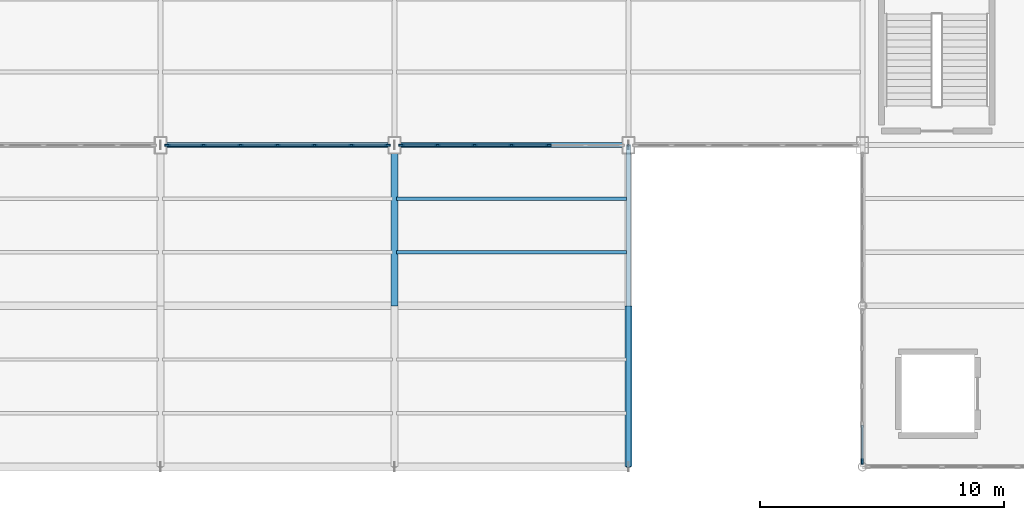
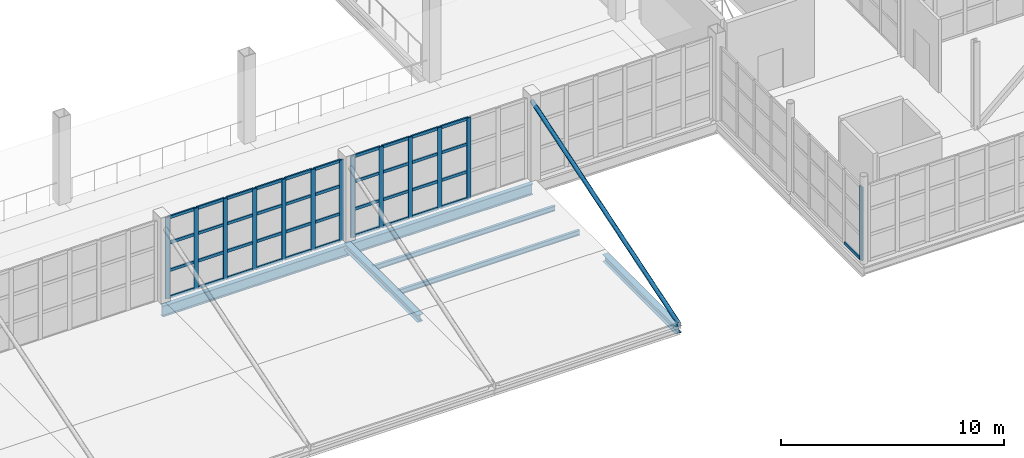
# One storey, part 30 of 120: 55 members, 6 beams, 3 elements without a shape of their own.
"""IFC4 building model written with IfcOpenShell, lengths in metres."""

from ifc_helpers import new_model, si_unit, direction, frame, origin, origin_2d, place, context, subcontext, project, spatial, rectangle, hollow_circle, i_section, extrude, material, layer, layer_set, material_profile, profile_set, type_object, element, aggregate, save


model = new_model("IFC4")

# Units and contexts
model_context = context("Model", 3, precision=1e-05, world=origin(), true_north=direction((0.0, 1.0)))
body_context = subcontext(model_context, "Body", "Model", "MODEL_VIEW")
ifc_project = project(units=[si_unit("LENGTHUNIT", "METRE"), si_unit("AREAUNIT", "SQUARE_METRE"), si_unit("VOLUMEUNIT", "CUBIC_METRE"), si_unit("PLANEANGLEUNIT", "RADIAN"), si_unit("MASSUNIT", "GRAM", prefix="KILO")], contexts=[model_context])

# Site, building, storey
site_placement = place(None, origin())
site = spatial("IfcSite", under=ifc_project, at=site_placement, CompositionType="ELEMENT")
building_placement = place(site_placement, origin())
building = spatial("IfcBuilding", under=site, at=building_placement, Name="Zarnetskaya Central Station", CompositionType="ELEMENT")
storey_placement = place(building_placement, frame((0.0, 0.0, 5.39990234375)))
storey = spatial("IfcBuildingStorey", under=building, at=storey_placement, Name="L01", CompositionType="ELEMENT", Elevation=5.39990234375)

# Beams
ifc_material_1 = material(Name="Steel S355", Category="steel")
ifc_material_profile_1 = material_profile(ifc_material_1, i_section(OverallWidth=0.135009765625, OverallDepth=0.27001953125, WebThickness=0.006591796875, FlangeThickness=0.01025390625, FilletRadius=0.014892578125, at=origin_2d()), Name="IPE 270")
ifc_profile_set_1 = profile_set([ifc_material_profile_1], Name="Steel S355")
beam_type_1 = type_object("IfcBeamType", Name="BM-JST-270", PredefinedType="JOIST", material=ifc_profile_set_1)
for number, where, z_axis, x_axis, name in (
    (1, (105.679931640625, 8.800048828125, -0.294921875), (1.0, 0.0, 0.0), (0.0, 1.0, 0.0), "Secondary floor beam SEC-L01-Z524-MN-23-1"),
    (2, (105.679931640625, 11.0, -0.294921875), (1.0, 0.0, 0.0), (0.0, 1.0, 0.0), "Secondary floor beam SEC-L01-Z524-MN-23-2"),
):
    element("IfcBeam", number, at=place(storey_placement, frame(where, z_axis=z_axis, x_axis=x_axis)), inside=storey, type_object=beam_type_1, Name=name, PredefinedType="JOIST", context=body_context, shape_type="SweptSolid", body=[
        extrude(i_section(OverallWidth=0.135009765625, OverallDepth=0.27001953125, WebThickness=0.006591796875, FlangeThickness=0.01025390625, FilletRadius=0.014892578125, at=origin_2d()), origin(), (0.0, 0.0, 1.0), 9.440185546875),
    ])

# Curtain wall, members
ifc_material_2 = material(Name="Low-E insulated glass", Category="glass")
ifc_layer_1 = layer(ifc_material_2, 0.1640625, Name="Low-E insulated glass", Category="glass")
ifc_layer_set_1 = layer_set([ifc_layer_1], Name="Low-E insulated glass")
curtain_wall_type_1 = type_object("IfcCurtainWallType", Name="CW-SYS-12", PredefinedType="USERDEFINED", material=ifc_layer_set_1)
curtain_wall_1_placement = place(storey_placement, origin())
curtain_wall_1 = element("IfcCurtainWall", 3, at=curtain_wall_1_placement, inside=storey, type_object=curtain_wall_type_1, Name="Curtain wall CW-L01-082", ObjectType="CURTAIN WALL", PredefinedType="USERDEFINED")
ifc_material_3 = material(Name="Anodised aluminium", Category="aluminium")
ifc_material_profile_2 = material_profile(ifc_material_3, rectangle(XDim=0.080078125, YDim=0.219970703125, at=origin_2d()), Name="ALU MULL 80x220")
ifc_profile_set_2 = profile_set([ifc_material_profile_2], Name="Anodised aluminium")
member_type_1 = type_object("IfcMemberType", Name="CW-MULL-220", PredefinedType="MULLION", material=ifc_profile_set_2)
member_1_placement = place(storey_placement, frame((105.31005859375, 13.199951171875, 0.0), z_axis=(0.0, 0.0, 1.0), x_axis=(0.0, -1.0, 0.0)))
member_1 = element("IfcMember", 4, at=member_1_placement, type_object=member_type_1, Name="CW-18 mullion 1", PredefinedType="MULLION", context=body_context, shape_type="SweptSolid", body=[
    extrude(rectangle(XDim=0.080078125, YDim=0.219970703125, at=origin_2d()), origin(), (0.0, 0.0, 1.0), 4.4501953125),
])
member_2_placement = place(storey_placement, frame((103.833251953125, 13.199951171875, 0.0), z_axis=(0.0, 0.0, 1.0), x_axis=(0.0, -1.0, 0.0)))
member_2 = element("IfcMember", 5, at=member_2_placement, type_object=member_type_1, Name="CW-18 mullion 2", PredefinedType="MULLION", context=body_context, shape_type="SweptSolid", body=[
    extrude(rectangle(XDim=0.080078125, YDim=0.219970703125, at=origin_2d()), origin(), (0.0, 0.0, 1.0), 4.4501953125),
])
member_3_placement = place(storey_placement, frame((102.316650390625, 13.199951171875, 0.0), z_axis=(0.0, 0.0, 1.0), x_axis=(0.0, -1.0, 0.0)))
member_3 = element("IfcMember", 6, at=member_3_placement, type_object=member_type_1, Name="CW-18 mullion 3", PredefinedType="MULLION", context=body_context, shape_type="SweptSolid", body=[
    extrude(rectangle(XDim=0.080078125, YDim=0.219970703125, at=origin_2d()), origin(), (0.0, 0.0, 1.0), 4.4501953125),
])
member_4_placement = place(storey_placement, frame((100.800048828125, 13.199951171875, 0.0), z_axis=(0.0, 0.0, 1.0), x_axis=(0.0, -1.0, 0.0)))
member_4 = element("IfcMember", 7, at=member_4_placement, type_object=member_type_1, Name="CW-18 mullion 4", PredefinedType="MULLION", context=body_context, shape_type="SweptSolid", body=[
    extrude(rectangle(XDim=0.080078125, YDim=0.219970703125, at=origin_2d()), origin(), (0.0, 0.0, 1.0), 4.4501953125),
])
member_5_placement = place(storey_placement, frame((99.283447265625, 13.199951171875, 0.0), z_axis=(0.0, 0.0, 1.0), x_axis=(0.0, -1.0, 0.0)))
member_5 = element("IfcMember", 8, at=member_5_placement, type_object=member_type_1, Name="CW-18 mullion 5", PredefinedType="MULLION", context=body_context, shape_type="SweptSolid", body=[
    extrude(rectangle(XDim=0.080078125, YDim=0.219970703125, at=origin_2d()), origin(), (0.0, 0.0, 1.0), 4.4501953125),
])
member_6_placement = place(storey_placement, frame((97.7666015625, 13.199951171875, 0.0), z_axis=(0.0, 0.0, 1.0), x_axis=(0.0, -1.0, 0.0)))
member_6 = element("IfcMember", 9, at=member_6_placement, type_object=member_type_1, Name="CW-18 mullion 6", PredefinedType="MULLION", context=body_context, shape_type="SweptSolid", body=[
    extrude(rectangle(XDim=0.080078125, YDim=0.219970703125, at=origin_2d()), origin(), (0.0, 0.0, 1.0), 4.4501953125),
])
member_7_placement = place(storey_placement, frame((96.2900390625, 13.199951171875, 0.0), z_axis=(0.0, 0.0, 1.0), x_axis=(0.0, -1.0, 0.0)))
member_7 = element("IfcMember", 10, at=member_7_placement, type_object=member_type_1, Name="CW-18 mullion 7", PredefinedType="MULLION", context=body_context, shape_type="SweptSolid", body=[
    extrude(rectangle(XDim=0.080078125, YDim=0.219970703125, at=origin_2d()), origin(), (0.0, 0.0, 1.0), 4.4501953125),
])

ifc_layer_2 = layer(ifc_material_2, 0.16796875, Name="Low-E insulated glass", Category="glass")
ifc_layer_set_2 = layer_set([ifc_layer_2], Name="Low-E insulated glass")
curtain_wall_type_2 = type_object("IfcCurtainWallType", Name="CW-SYS-13", PredefinedType="USERDEFINED", material=ifc_layer_set_2)
curtain_wall_2_placement = place(storey_placement, origin())
curtain_wall_2 = element("IfcCurtainWall", 11, at=curtain_wall_2_placement, inside=storey, type_object=curtain_wall_type_2, Name="Curtain wall CW-L01-084", ObjectType="CURTAIN WALL", PredefinedType="USERDEFINED")
member_8_placement = place(storey_placement, frame((111.916748046875, 13.199951171875, 0.0), z_axis=(0.0, 0.0, 1.0), x_axis=(0.0, -1.0, 0.0)))
member_8 = element("IfcMember", 12, at=member_8_placement, type_object=member_type_1, Name="CW-04 mullion 3", PredefinedType="MULLION", context=body_context, shape_type="SweptSolid", body=[
    extrude(rectangle(XDim=0.080078125, YDim=0.219970703125, at=origin_2d()), origin(), (0.0, 0.0, 1.0), 4.4501953125),
])
member_9_placement = place(storey_placement, frame((110.39990234375, 13.199951171875, 0.0), z_axis=(0.0, 0.0, 1.0), x_axis=(0.0, -1.0, 0.0)))
member_9 = element("IfcMember", 13, at=member_9_placement, type_object=member_type_1, Name="CW-04 mullion 4", PredefinedType="MULLION", context=body_context, shape_type="SweptSolid", body=[
    extrude(rectangle(XDim=0.080078125, YDim=0.219970703125, at=origin_2d()), origin(), (0.0, 0.0, 1.0), 4.4501953125),
])
member_10_placement = place(storey_placement, frame((108.88330078125, 13.199951171875, 0.0), z_axis=(0.0, 0.0, 1.0), x_axis=(0.0, -1.0, 0.0)))
member_10 = element("IfcMember", 14, at=member_10_placement, type_object=member_type_1, Name="CW-04 mullion 5", PredefinedType="MULLION", context=body_context, shape_type="SweptSolid", body=[
    extrude(rectangle(XDim=0.080078125, YDim=0.219970703125, at=origin_2d()), origin(), (0.0, 0.0, 1.0), 4.4501953125),
])
member_11_placement = place(storey_placement, frame((107.36669921875, 13.199951171875, 0.0), z_axis=(0.0, 0.0, 1.0), x_axis=(0.0, -1.0, 0.0)))
member_11 = element("IfcMember", 15, at=member_11_placement, type_object=member_type_1, Name="CW-04 mullion 6", PredefinedType="MULLION", context=body_context, shape_type="SweptSolid", body=[
    extrude(rectangle(XDim=0.080078125, YDim=0.219970703125, at=origin_2d()), origin(), (0.0, 0.0, 1.0), 4.4501953125),
])
member_12_placement = place(storey_placement, frame((105.889892578125, 13.199951171875, 0.0), z_axis=(0.0, 0.0, 1.0), x_axis=(0.0, -1.0, 0.0)))
member_12 = element("IfcMember", 16, at=member_12_placement, type_object=member_type_1, Name="CW-04 mullion 7", PredefinedType="MULLION", context=body_context, shape_type="SweptSolid", body=[
    extrude(rectangle(XDim=0.080078125, YDim=0.219970703125, at=origin_2d()), origin(), (0.0, 0.0, 1.0), 4.4501953125),
])

# Curtain wall, member
ifc_layer_3 = layer(ifc_material_2, 0.159912109375, Name="Low-E insulated glass", Category="glass")
ifc_layer_set_3 = layer_set([ifc_layer_3], Name="Low-E insulated glass")
curtain_wall_type_3 = type_object("IfcCurtainWallType", Name="CW-SYS-06", PredefinedType="USERDEFINED", material=ifc_layer_set_3)
curtain_wall_3_placement = place(storey_placement, origin())
curtain_wall_3 = element("IfcCurtainWall", 17, at=curtain_wall_3_placement, inside=storey, type_object=curtain_wall_type_3, Name="Curtain wall CW-L01-110", ObjectType="CURTAIN WALL", PredefinedType="USERDEFINED")
member_13_placement = place(storey_placement, frame((124.800048828125, 0.2177734375, 0.0), z_axis=(0.0, 0.0, 1.0), x_axis=(-1.0, 0.0, 0.0)))
member_13 = element("IfcMember", 18, at=member_13_placement, type_object=member_type_1, Name="CW-02 mullion 1", PredefinedType="MULLION", context=body_context, shape_type="SweptSolid", body=[
    extrude(rectangle(XDim=0.080078125, YDim=0.219970703125, at=origin_2d()), origin(), (0.0, 0.0, 1.0), 4.0400390625),
])

# Member
ifc_material_profile_3 = material_profile(ifc_material_3, rectangle(XDim=0.080078125, YDim=0.159912109375, at=origin_2d()), Name="ALU TRAN 80x160")
ifc_profile_set_3 = profile_set([ifc_material_profile_3], Name="Anodised aluminium")
member_type_2 = type_object("IfcMemberType", Name="CW-TRAN-160", PredefinedType="USERDEFINED", material=ifc_profile_set_3)
member_14_placement = place(storey_placement, frame((105.27001953125, 13.199951171875, 0.0400390625), z_axis=(-1.0, 0.0, 0.0), x_axis=(0.0, -1.0, 0.0)))
member_14 = element("IfcMember", 19, at=member_14_placement, type_object=member_type_2, Name="CW-18 transom 1.1", ObjectType="TRANSOM", PredefinedType="USERDEFINED", context=body_context, shape_type="SweptSolid", body=[
    extrude(rectangle(XDim=0.080078125, YDim=0.159912109375, at=origin_2d()), origin(), (0.0, 0.0, 1.0), 1.396728515625),
])

member_15_placement = place(storey_placement, frame((105.27001953125, 13.199951171875, 1.51318359375), z_axis=(-1.0, 0.0, 0.0), x_axis=(0.0, -1.0, 0.0)))
member_15 = element("IfcMember", 20, at=member_15_placement, type_object=member_type_2, Name="CW-18 transom 1.2", ObjectType="TRANSOM", PredefinedType="USERDEFINED", context=body_context, shape_type="SweptSolid", body=[
    extrude(rectangle(XDim=0.080078125, YDim=0.159912109375, at=origin_2d()), origin(), (0.0, 0.0, 1.0), 1.396728515625),
])

member_16_placement = place(storey_placement, frame((105.27001953125, 13.199951171875, 3.026123046875), z_axis=(-1.0, 0.0, 0.0), x_axis=(0.0, -1.0, 0.0)))
member_16 = element("IfcMember", 21, at=member_16_placement, type_object=member_type_2, Name="CW-18 transom 1.3", ObjectType="TRANSOM", PredefinedType="USERDEFINED", context=body_context, shape_type="SweptSolid", body=[
    extrude(rectangle(XDim=0.080078125, YDim=0.159912109375, at=origin_2d()), origin(), (0.0, 0.0, 1.0), 1.396728515625),
])

member_17_placement = place(storey_placement, frame((105.27001953125, 13.199951171875, 4.41015625), z_axis=(-1.0, 0.0, 0.0), x_axis=(0.0, -1.0, 0.0)))
member_17 = element("IfcMember", 22, at=member_17_placement, type_object=member_type_2, Name="CW-18 transom 1.4", ObjectType="TRANSOM", PredefinedType="USERDEFINED", context=body_context, shape_type="SweptSolid", body=[
    extrude(rectangle(XDim=0.080078125, YDim=0.159912109375, at=origin_2d()), origin(), (0.0, 0.0, 1.0), 1.396728515625),
])

member_18_placement = place(storey_placement, frame((103.793212890625, 13.199951171875, 0.0400390625), z_axis=(-1.0, 0.0, 0.0), x_axis=(0.0, -1.0, 0.0)))
member_18 = element("IfcMember", 23, at=member_18_placement, type_object=member_type_2, Name="CW-18 transom 2.1", ObjectType="TRANSOM", PredefinedType="USERDEFINED", context=body_context, shape_type="SweptSolid", body=[
    extrude(rectangle(XDim=0.080078125, YDim=0.159912109375, at=origin_2d()), origin(), (0.0, 0.0, 1.0), 1.4365234375),
])

member_19_placement = place(storey_placement, frame((103.793212890625, 13.199951171875, 1.51318359375), z_axis=(-1.0, 0.0, 0.0), x_axis=(0.0, -1.0, 0.0)))
member_19 = element("IfcMember", 24, at=member_19_placement, type_object=member_type_2, Name="CW-18 transom 2.2", ObjectType="TRANSOM", PredefinedType="USERDEFINED", context=body_context, shape_type="SweptSolid", body=[
    extrude(rectangle(XDim=0.080078125, YDim=0.159912109375, at=origin_2d()), origin(), (0.0, 0.0, 1.0), 1.4365234375),
])

member_20_placement = place(storey_placement, frame((103.793212890625, 13.199951171875, 3.026123046875), z_axis=(-1.0, 0.0, 0.0), x_axis=(0.0, -1.0, 0.0)))
member_20 = element("IfcMember", 25, at=member_20_placement, type_object=member_type_2, Name="CW-18 transom 2.3", ObjectType="TRANSOM", PredefinedType="USERDEFINED", context=body_context, shape_type="SweptSolid", body=[
    extrude(rectangle(XDim=0.080078125, YDim=0.159912109375, at=origin_2d()), origin(), (0.0, 0.0, 1.0), 1.4365234375),
])

member_21_placement = place(storey_placement, frame((103.793212890625, 13.199951171875, 4.41015625), z_axis=(-1.0, 0.0, 0.0), x_axis=(0.0, -1.0, 0.0)))
member_21 = element("IfcMember", 26, at=member_21_placement, type_object=member_type_2, Name="CW-18 transom 2.4", ObjectType="TRANSOM", PredefinedType="USERDEFINED", context=body_context, shape_type="SweptSolid", body=[
    extrude(rectangle(XDim=0.080078125, YDim=0.159912109375, at=origin_2d()), origin(), (0.0, 0.0, 1.0), 1.4365234375),
])

member_22_placement = place(storey_placement, frame((102.276611328125, 13.199951171875, 0.0400390625), z_axis=(-1.0, 0.0, 0.0), x_axis=(0.0, -1.0, 0.0)))
member_22 = element("IfcMember", 27, at=member_22_placement, type_object=member_type_2, Name="CW-18 transom 3.1", ObjectType="TRANSOM", PredefinedType="USERDEFINED", context=body_context, shape_type="SweptSolid", body=[
    extrude(rectangle(XDim=0.080078125, YDim=0.159912109375, at=origin_2d()), origin(), (0.0, 0.0, 1.0), 1.4365234375),
])

member_23_placement = place(storey_placement, frame((102.276611328125, 13.199951171875, 1.51318359375), z_axis=(-1.0, 0.0, 0.0), x_axis=(0.0, -1.0, 0.0)))
member_23 = element("IfcMember", 28, at=member_23_placement, type_object=member_type_2, Name="CW-18 transom 3.2", ObjectType="TRANSOM", PredefinedType="USERDEFINED", context=body_context, shape_type="SweptSolid", body=[
    extrude(rectangle(XDim=0.080078125, YDim=0.159912109375, at=origin_2d()), origin(), (0.0, 0.0, 1.0), 1.4365234375),
])

member_24_placement = place(storey_placement, frame((102.276611328125, 13.199951171875, 3.026123046875), z_axis=(-1.0, 0.0, 0.0), x_axis=(0.0, -1.0, 0.0)))
member_24 = element("IfcMember", 29, at=member_24_placement, type_object=member_type_2, Name="CW-18 transom 3.3", ObjectType="TRANSOM", PredefinedType="USERDEFINED", context=body_context, shape_type="SweptSolid", body=[
    extrude(rectangle(XDim=0.080078125, YDim=0.159912109375, at=origin_2d()), origin(), (0.0, 0.0, 1.0), 1.4365234375),
])

member_25_placement = place(storey_placement, frame((102.276611328125, 13.199951171875, 4.41015625), z_axis=(-1.0, 0.0, 0.0), x_axis=(0.0, -1.0, 0.0)))
member_25 = element("IfcMember", 30, at=member_25_placement, type_object=member_type_2, Name="CW-18 transom 3.4", ObjectType="TRANSOM", PredefinedType="USERDEFINED", context=body_context, shape_type="SweptSolid", body=[
    extrude(rectangle(XDim=0.080078125, YDim=0.159912109375, at=origin_2d()), origin(), (0.0, 0.0, 1.0), 1.4365234375),
])

member_26_placement = place(storey_placement, frame((100.760009765625, 13.199951171875, 0.0400390625), z_axis=(-1.0, 0.0, 0.0), x_axis=(0.0, -1.0, 0.0)))
member_26 = element("IfcMember", 31, at=member_26_placement, type_object=member_type_2, Name="CW-18 transom 4.1", ObjectType="TRANSOM", PredefinedType="USERDEFINED", context=body_context, shape_type="SweptSolid", body=[
    extrude(rectangle(XDim=0.080078125, YDim=0.159912109375, at=origin_2d()), origin(), (0.0, 0.0, 1.0), 1.436767578125),
])

member_27_placement = place(storey_placement, frame((100.760009765625, 13.199951171875, 1.51318359375), z_axis=(-1.0, 0.0, 0.0), x_axis=(0.0, -1.0, 0.0)))
member_27 = element("IfcMember", 32, at=member_27_placement, type_object=member_type_2, Name="CW-18 transom 4.2", ObjectType="TRANSOM", PredefinedType="USERDEFINED", context=body_context, shape_type="SweptSolid", body=[
    extrude(rectangle(XDim=0.080078125, YDim=0.159912109375, at=origin_2d()), origin(), (0.0, 0.0, 1.0), 1.436767578125),
])

member_28_placement = place(storey_placement, frame((100.760009765625, 13.199951171875, 3.026123046875), z_axis=(-1.0, 0.0, 0.0), x_axis=(0.0, -1.0, 0.0)))
member_28 = element("IfcMember", 33, at=member_28_placement, type_object=member_type_2, Name="CW-18 transom 4.3", ObjectType="TRANSOM", PredefinedType="USERDEFINED", context=body_context, shape_type="SweptSolid", body=[
    extrude(rectangle(XDim=0.080078125, YDim=0.159912109375, at=origin_2d()), origin(), (0.0, 0.0, 1.0), 1.436767578125),
])

member_29_placement = place(storey_placement, frame((100.760009765625, 13.199951171875, 4.41015625), z_axis=(-1.0, 0.0, 0.0), x_axis=(0.0, -1.0, 0.0)))
member_29 = element("IfcMember", 34, at=member_29_placement, type_object=member_type_2, Name="CW-18 transom 4.4", ObjectType="TRANSOM", PredefinedType="USERDEFINED", context=body_context, shape_type="SweptSolid", body=[
    extrude(rectangle(XDim=0.080078125, YDim=0.159912109375, at=origin_2d()), origin(), (0.0, 0.0, 1.0), 1.436767578125),
])

member_30_placement = place(storey_placement, frame((99.243408203125, 13.199951171875, 0.0400390625), z_axis=(-1.0, 0.0, 0.0), x_axis=(0.0, -1.0, 0.0)))
member_30 = element("IfcMember", 35, at=member_30_placement, type_object=member_type_2, Name="CW-18 transom 5.1", ObjectType="TRANSOM", PredefinedType="USERDEFINED", context=body_context, shape_type="SweptSolid", body=[
    extrude(rectangle(XDim=0.080078125, YDim=0.159912109375, at=origin_2d()), origin(), (0.0, 0.0, 1.0), 1.436767578125),
])

member_31_placement = place(storey_placement, frame((99.243408203125, 13.199951171875, 1.51318359375), z_axis=(-1.0, 0.0, 0.0), x_axis=(0.0, -1.0, 0.0)))
member_31 = element("IfcMember", 36, at=member_31_placement, type_object=member_type_2, Name="CW-18 transom 5.2", ObjectType="TRANSOM", PredefinedType="USERDEFINED", context=body_context, shape_type="SweptSolid", body=[
    extrude(rectangle(XDim=0.080078125, YDim=0.159912109375, at=origin_2d()), origin(), (0.0, 0.0, 1.0), 1.436767578125),
])

member_32_placement = place(storey_placement, frame((99.243408203125, 13.199951171875, 3.026123046875), z_axis=(-1.0, 0.0, 0.0), x_axis=(0.0, -1.0, 0.0)))
member_32 = element("IfcMember", 37, at=member_32_placement, type_object=member_type_2, Name="CW-18 transom 5.3", ObjectType="TRANSOM", PredefinedType="USERDEFINED", context=body_context, shape_type="SweptSolid", body=[
    extrude(rectangle(XDim=0.080078125, YDim=0.159912109375, at=origin_2d()), origin(), (0.0, 0.0, 1.0), 1.436767578125),
])

member_33_placement = place(storey_placement, frame((99.243408203125, 13.199951171875, 4.41015625), z_axis=(-1.0, 0.0, 0.0), x_axis=(0.0, -1.0, 0.0)))
member_33 = element("IfcMember", 38, at=member_33_placement, type_object=member_type_2, Name="CW-18 transom 5.4", ObjectType="TRANSOM", PredefinedType="USERDEFINED", context=body_context, shape_type="SweptSolid", body=[
    extrude(rectangle(XDim=0.080078125, YDim=0.159912109375, at=origin_2d()), origin(), (0.0, 0.0, 1.0), 1.436767578125),
])

member_34_placement = place(storey_placement, frame((97.7265625, 13.199951171875, 0.0400390625), z_axis=(-1.0, 0.0, 0.0), x_axis=(0.0, -1.0, 0.0)))
member_34 = element("IfcMember", 39, at=member_34_placement, type_object=member_type_2, Name="CW-18 transom 6.1", ObjectType="TRANSOM", PredefinedType="USERDEFINED", context=body_context, shape_type="SweptSolid", body=[
    extrude(rectangle(XDim=0.080078125, YDim=0.159912109375, at=origin_2d()), origin(), (0.0, 0.0, 1.0), 1.396484375),
])

member_35_placement = place(storey_placement, frame((97.7265625, 13.199951171875, 1.51318359375), z_axis=(-1.0, 0.0, 0.0), x_axis=(0.0, -1.0, 0.0)))
member_35 = element("IfcMember", 40, at=member_35_placement, type_object=member_type_2, Name="CW-18 transom 6.2", ObjectType="TRANSOM", PredefinedType="USERDEFINED", context=body_context, shape_type="SweptSolid", body=[
    extrude(rectangle(XDim=0.080078125, YDim=0.159912109375, at=origin_2d()), origin(), (0.0, 0.0, 1.0), 1.396484375),
])

member_36_placement = place(storey_placement, frame((97.7265625, 13.199951171875, 3.026123046875), z_axis=(-1.0, 0.0, 0.0), x_axis=(0.0, -1.0, 0.0)))
member_36 = element("IfcMember", 41, at=member_36_placement, type_object=member_type_2, Name="CW-18 transom 6.3", ObjectType="TRANSOM", PredefinedType="USERDEFINED", context=body_context, shape_type="SweptSolid", body=[
    extrude(rectangle(XDim=0.080078125, YDim=0.159912109375, at=origin_2d()), origin(), (0.0, 0.0, 1.0), 1.396484375),
])

member_37_placement = place(storey_placement, frame((97.7265625, 13.199951171875, 4.41015625), z_axis=(-1.0, 0.0, 0.0), x_axis=(0.0, -1.0, 0.0)))
member_37 = element("IfcMember", 42, at=member_37_placement, type_object=member_type_2, Name="CW-18 transom 6.4", ObjectType="TRANSOM", PredefinedType="USERDEFINED", context=body_context, shape_type="SweptSolid", body=[
    extrude(rectangle(XDim=0.080078125, YDim=0.159912109375, at=origin_2d()), origin(), (0.0, 0.0, 1.0), 1.396484375),
])

aggregate(curtain_wall_1, [member_1, member_2, member_3, member_4, member_5, member_6, member_7, member_14, member_15, member_16, member_17, member_18, member_19, member_20, member_21, member_22, member_23, member_24, member_25, member_26, member_27, member_28, member_29, member_30, member_31, member_32, member_33, member_34, member_35, member_36, member_37])

member_38_placement = place(storey_placement, frame((111.876708984375, 13.199951171875, 0.0400390625), z_axis=(-1.0, 0.0, 0.0), x_axis=(0.0, -1.0, 0.0)))
member_38 = element("IfcMember", 43, at=member_38_placement, type_object=member_type_2, Name="CW-04 transom 3.1", ObjectType="TRANSOM", PredefinedType="USERDEFINED", context=body_context, shape_type="SweptSolid", body=[
    extrude(rectangle(XDim=0.080078125, YDim=0.159912109375, at=origin_2d()), origin(), (0.0, 0.0, 1.0), 1.436767578125),
])

member_39_placement = place(storey_placement, frame((111.876708984375, 13.199951171875, 1.51318359375), z_axis=(-1.0, 0.0, 0.0), x_axis=(0.0, -1.0, 0.0)))
member_39 = element("IfcMember", 44, at=member_39_placement, type_object=member_type_2, Name="CW-04 transom 3.2", ObjectType="TRANSOM", PredefinedType="USERDEFINED", context=body_context, shape_type="SweptSolid", body=[
    extrude(rectangle(XDim=0.080078125, YDim=0.159912109375, at=origin_2d()), origin(), (0.0, 0.0, 1.0), 1.436767578125),
])

member_40_placement = place(storey_placement, frame((111.876708984375, 13.199951171875, 3.026123046875), z_axis=(-1.0, 0.0, 0.0), x_axis=(0.0, -1.0, 0.0)))
member_40 = element("IfcMember", 45, at=member_40_placement, type_object=member_type_2, Name="CW-04 transom 3.3", ObjectType="TRANSOM", PredefinedType="USERDEFINED", context=body_context, shape_type="SweptSolid", body=[
    extrude(rectangle(XDim=0.080078125, YDim=0.159912109375, at=origin_2d()), origin(), (0.0, 0.0, 1.0), 1.436767578125),
])

member_41_placement = place(storey_placement, frame((111.876708984375, 13.199951171875, 4.41015625), z_axis=(-1.0, 0.0, 0.0), x_axis=(0.0, -1.0, 0.0)))
member_41 = element("IfcMember", 46, at=member_41_placement, type_object=member_type_2, Name="CW-04 transom 3.4", ObjectType="TRANSOM", PredefinedType="USERDEFINED", context=body_context, shape_type="SweptSolid", body=[
    extrude(rectangle(XDim=0.080078125, YDim=0.159912109375, at=origin_2d()), origin(), (0.0, 0.0, 1.0), 1.436767578125),
])

member_42_placement = place(storey_placement, frame((110.360107421875, 13.199951171875, 0.0400390625), z_axis=(-1.0, 0.0, 0.0), x_axis=(0.0, -1.0, 0.0)))
member_42 = element("IfcMember", 47, at=member_42_placement, type_object=member_type_2, Name="CW-04 transom 4.1", ObjectType="TRANSOM", PredefinedType="USERDEFINED", context=body_context, shape_type="SweptSolid", body=[
    extrude(rectangle(XDim=0.080078125, YDim=0.159912109375, at=origin_2d()), origin(), (0.0, 0.0, 1.0), 1.436767578125),
])

member_43_placement = place(storey_placement, frame((110.360107421875, 13.199951171875, 1.51318359375), z_axis=(-1.0, 0.0, 0.0), x_axis=(0.0, -1.0, 0.0)))
member_43 = element("IfcMember", 48, at=member_43_placement, type_object=member_type_2, Name="CW-04 transom 4.2", ObjectType="TRANSOM", PredefinedType="USERDEFINED", context=body_context, shape_type="SweptSolid", body=[
    extrude(rectangle(XDim=0.080078125, YDim=0.159912109375, at=origin_2d()), origin(), (0.0, 0.0, 1.0), 1.436767578125),
])

member_44_placement = place(storey_placement, frame((110.360107421875, 13.199951171875, 3.026123046875), z_axis=(-1.0, 0.0, 0.0), x_axis=(0.0, -1.0, 0.0)))
member_44 = element("IfcMember", 49, at=member_44_placement, type_object=member_type_2, Name="CW-04 transom 4.3", ObjectType="TRANSOM", PredefinedType="USERDEFINED", context=body_context, shape_type="SweptSolid", body=[
    extrude(rectangle(XDim=0.080078125, YDim=0.159912109375, at=origin_2d()), origin(), (0.0, 0.0, 1.0), 1.436767578125),
])

member_45_placement = place(storey_placement, frame((110.360107421875, 13.199951171875, 4.41015625), z_axis=(-1.0, 0.0, 0.0), x_axis=(0.0, -1.0, 0.0)))
member_45 = element("IfcMember", 50, at=member_45_placement, type_object=member_type_2, Name="CW-04 transom 4.4", ObjectType="TRANSOM", PredefinedType="USERDEFINED", context=body_context, shape_type="SweptSolid", body=[
    extrude(rectangle(XDim=0.080078125, YDim=0.159912109375, at=origin_2d()), origin(), (0.0, 0.0, 1.0), 1.436767578125),
])

member_46_placement = place(storey_placement, frame((108.84326171875, 13.199951171875, 0.0400390625), z_axis=(-1.0, 0.0, 0.0), x_axis=(0.0, -1.0, 0.0)))
member_46 = element("IfcMember", 51, at=member_46_placement, type_object=member_type_2, Name="CW-04 transom 5.1", ObjectType="TRANSOM", PredefinedType="USERDEFINED", context=body_context, shape_type="SweptSolid", body=[
    extrude(rectangle(XDim=0.080078125, YDim=0.159912109375, at=origin_2d()), origin(), (0.0, 0.0, 1.0), 1.4365234375),
])

member_47_placement = place(storey_placement, frame((108.84326171875, 13.199951171875, 1.51318359375), z_axis=(-1.0, 0.0, 0.0), x_axis=(0.0, -1.0, 0.0)))
member_47 = element("IfcMember", 52, at=member_47_placement, type_object=member_type_2, Name="CW-04 transom 5.2", ObjectType="TRANSOM", PredefinedType="USERDEFINED", context=body_context, shape_type="SweptSolid", body=[
    extrude(rectangle(XDim=0.080078125, YDim=0.159912109375, at=origin_2d()), origin(), (0.0, 0.0, 1.0), 1.4365234375),
])

member_48_placement = place(storey_placement, frame((108.84326171875, 13.199951171875, 3.026123046875), z_axis=(-1.0, 0.0, 0.0), x_axis=(0.0, -1.0, 0.0)))
member_48 = element("IfcMember", 53, at=member_48_placement, type_object=member_type_2, Name="CW-04 transom 5.3", ObjectType="TRANSOM", PredefinedType="USERDEFINED", context=body_context, shape_type="SweptSolid", body=[
    extrude(rectangle(XDim=0.080078125, YDim=0.159912109375, at=origin_2d()), origin(), (0.0, 0.0, 1.0), 1.4365234375),
])

member_49_placement = place(storey_placement, frame((108.84326171875, 13.199951171875, 4.41015625), z_axis=(-1.0, 0.0, 0.0), x_axis=(0.0, -1.0, 0.0)))
member_49 = element("IfcMember", 54, at=member_49_placement, type_object=member_type_2, Name="CW-04 transom 5.4", ObjectType="TRANSOM", PredefinedType="USERDEFINED", context=body_context, shape_type="SweptSolid", body=[
    extrude(rectangle(XDim=0.080078125, YDim=0.159912109375, at=origin_2d()), origin(), (0.0, 0.0, 1.0), 1.4365234375),
])

member_50_placement = place(storey_placement, frame((107.32666015625, 13.199951171875, 0.0400390625), z_axis=(-1.0, 0.0, 0.0), x_axis=(0.0, -1.0, 0.0)))
member_50 = element("IfcMember", 55, at=member_50_placement, type_object=member_type_2, Name="CW-04 transom 6.1", ObjectType="TRANSOM", PredefinedType="USERDEFINED", context=body_context, shape_type="SweptSolid", body=[
    extrude(rectangle(XDim=0.080078125, YDim=0.159912109375, at=origin_2d()), origin(), (0.0, 0.0, 1.0), 1.396728515625),
])

member_51_placement = place(storey_placement, frame((107.32666015625, 13.199951171875, 1.51318359375), z_axis=(-1.0, 0.0, 0.0), x_axis=(0.0, -1.0, 0.0)))
member_51 = element("IfcMember", 56, at=member_51_placement, type_object=member_type_2, Name="CW-04 transom 6.2", ObjectType="TRANSOM", PredefinedType="USERDEFINED", context=body_context, shape_type="SweptSolid", body=[
    extrude(rectangle(XDim=0.080078125, YDim=0.159912109375, at=origin_2d()), origin(), (0.0, 0.0, 1.0), 1.396728515625),
])

member_52_placement = place(storey_placement, frame((107.32666015625, 13.199951171875, 3.026123046875), z_axis=(-1.0, 0.0, 0.0), x_axis=(0.0, -1.0, 0.0)))
member_52 = element("IfcMember", 57, at=member_52_placement, type_object=member_type_2, Name="CW-04 transom 6.3", ObjectType="TRANSOM", PredefinedType="USERDEFINED", context=body_context, shape_type="SweptSolid", body=[
    extrude(rectangle(XDim=0.080078125, YDim=0.159912109375, at=origin_2d()), origin(), (0.0, 0.0, 1.0), 1.396728515625),
])

member_53_placement = place(storey_placement, frame((107.32666015625, 13.199951171875, 4.41015625), z_axis=(-1.0, 0.0, 0.0), x_axis=(0.0, -1.0, 0.0)))
member_53 = element("IfcMember", 58, at=member_53_placement, type_object=member_type_2, Name="CW-04 transom 6.4", ObjectType="TRANSOM", PredefinedType="USERDEFINED", context=body_context, shape_type="SweptSolid", body=[
    extrude(rectangle(XDim=0.080078125, YDim=0.159912109375, at=origin_2d()), origin(), (0.0, 0.0, 1.0), 1.396728515625),
])

aggregate(curtain_wall_2, [member_8, member_9, member_10, member_11, member_12, member_38, member_39, member_40, member_41, member_42, member_43, member_44, member_45, member_46, member_47, member_48, member_49, member_50, member_51, member_52, member_53])

member_54_placement = place(storey_placement, frame((124.800048828125, 0.2578125, 0.0400390625), z_axis=(0.0, 1.0, 0.0), x_axis=(-1.0, 0.0, 0.0)))
member_54 = element("IfcMember", 59, at=member_54_placement, type_object=member_type_2, Name="CW-02 transom 1.1", ObjectType="TRANSOM", PredefinedType="USERDEFINED", context=body_context, shape_type="SweptSolid", body=[
    extrude(rectangle(XDim=0.080078125, YDim=0.159912109375, at=origin_2d()), origin(), (0.0, 0.0, 1.0), 1.441162109375),
])

aggregate(curtain_wall_3, [member_13, member_54])

# Beams
ifc_material_profile_4 = material_profile(ifc_material_1, i_section(OverallWidth=0.219970703125, OverallDepth=0.60009765625, WebThickness=0.011962890625, FlangeThickness=0.01904296875, FilletRadius=0.02392578125, at=origin_2d()), Name="IPE 600")
ifc_profile_set_4 = profile_set([ifc_material_profile_4], Name="Steel S355")
beam_type_2 = type_object("IfcBeamType", Name="GD-FLR-600", PredefinedType="USERDEFINED", material=ifc_profile_set_4)
beam_1_placement = place(storey_placement, frame((96.0, 13.199951171875, -0.579833984375), z_axis=(1.0, 0.0, 0.0), x_axis=(0.0, 1.0, 0.0)))
element("IfcBeam", 60, at=beam_1_placement, inside=storey, type_object=beam_type_2, Name="Grid girder GX-L01-3-LM", ObjectType="GIRDER", PredefinedType="USERDEFINED", context=body_context, shape_type="SweptSolid", body=[
    extrude(i_section(OverallWidth=0.219970703125, OverallDepth=0.60009765625, WebThickness=0.011962890625, FlangeThickness=0.01904296875, FilletRadius=0.02392578125, at=origin_2d()), origin(), (0.0, 0.0, 1.0), 9.60009765625),
])
beam_2_placement = place(storey_placement, frame((105.60009765625, 13.199951171875, -0.579833984375), z_axis=(1.0, 0.0, 0.0), x_axis=(0.0, 1.0, 0.0)))
element("IfcBeam", 61, at=beam_2_placement, inside=storey, type_object=beam_type_2, Name="Grid girder GX-L01-3-MN", ObjectType="GIRDER", PredefinedType="USERDEFINED", context=body_context, shape_type="SweptSolid", body=[
    extrude(i_section(OverallWidth=0.219970703125, OverallDepth=0.60009765625, WebThickness=0.011962890625, FlangeThickness=0.01904296875, FilletRadius=0.02392578125, at=origin_2d()), origin(), (0.0, 0.0, 1.0), 9.599853515625),
])
ifc_material_profile_5 = material_profile(ifc_material_1, i_section(OverallWidth=0.300048828125, OverallDepth=0.389892578125, WebThickness=0.010986328125, FlangeThickness=0.01904296875, FilletRadius=0.027099609375, at=origin_2d()), Name="HEA 400")
ifc_profile_set_5 = profile_set([ifc_material_profile_5], Name="Steel S355")
beam_type_3 = type_object("IfcBeamType", Name="GD-ROOF-400", PredefinedType="USERDEFINED", material=ifc_profile_set_5)
beam_3_placement = place(storey_placement, frame((105.60009765625, 6.60009765625, -0.35498046875), z_axis=(0.0, 1.0, 0.0), x_axis=(-1.0, 0.0, 0.0)))
element("IfcBeam", 62, at=beam_3_placement, inside=storey, type_object=beam_type_3, Name="Grid girder GY-L01-M-23", ObjectType="GIRDER", PredefinedType="USERDEFINED", context=body_context, shape_type="SweptSolid", body=[
    extrude(i_section(OverallWidth=0.300048828125, OverallDepth=0.389892578125, WebThickness=0.010986328125, FlangeThickness=0.01904296875, FilletRadius=0.027099609375, at=origin_2d()), origin(), (0.0, 0.0, 1.0), 6.599853515625),
])
beam_4_placement = place(storey_placement, frame((115.199951171875, 0.0, -0.35498046875), z_axis=(0.0, 1.0, 0.0), x_axis=(-1.0, 0.0, 0.0)))
element("IfcBeam", 63, at=beam_4_placement, inside=storey, type_object=beam_type_3, Name="Grid girder GY-L01-N-12", ObjectType="GIRDER", PredefinedType="USERDEFINED", context=body_context, shape_type="SweptSolid", body=[
    extrude(i_section(OverallWidth=0.300048828125, OverallDepth=0.389892578125, WebThickness=0.010986328125, FlangeThickness=0.01904296875, FilletRadius=0.027099609375, at=origin_2d()), origin(), (0.0, 0.0, 1.0), 6.60009765625),
])

# Member
ifc_material_profile_6 = material_profile(ifc_material_1, hollow_circle(Radius=0.109619140625, WallThickness=0.010009765625, at=origin_2d()), Name="CHS 219.1x10")
ifc_profile_set_6 = profile_set([ifc_material_profile_6], Name="Steel S355")
member_type_3 = type_object("IfcMemberType", Name="MB-FCAN-TIE", PredefinedType="STRUT", material=ifc_profile_set_6)
member_55_placement = place(storey_placement, frame((115.199951171875, 13.199951171875, 4.2001953125), z_axis=(0.0, -0.952671589455, -0.304001385926), x_axis=(1.0, 0.0, 0.0)))
element("IfcMember", 64, at=member_55_placement, inside=storey, type_object=member_type_3, Name="Forecourt canopy suspension tie N", PredefinedType="STRUT", context=body_context, shape_type="SweptSolid", body=[
    extrude(hollow_circle(Radius=0.109619140625, WallThickness=0.010009765625, at=origin_2d()), origin(), (0.0, 0.0, 1.0), 13.855712890625),
])

save(model, "model.ifc")
